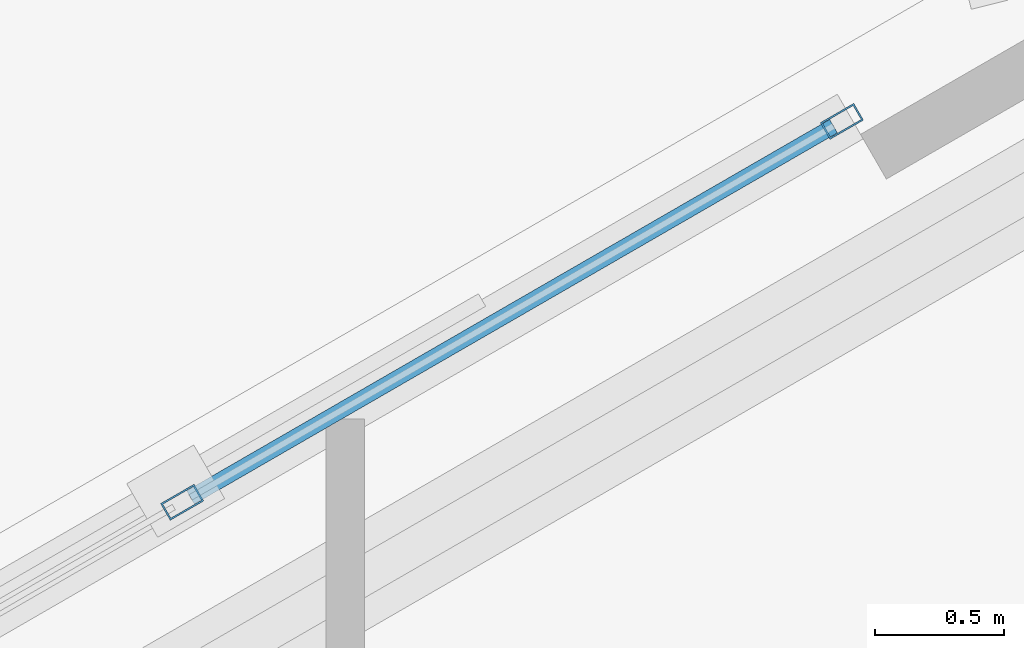
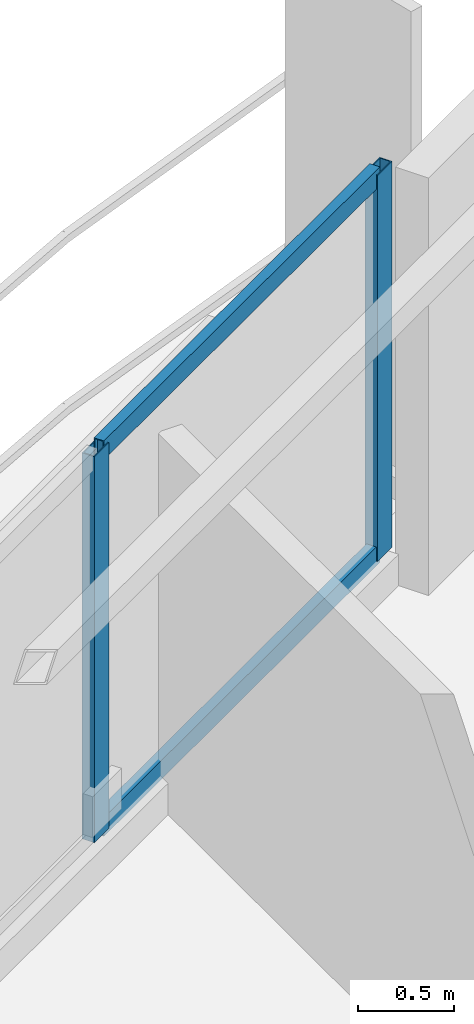
# One storey, part 9 of 18: 4 members, 1 element without a shape of its own.
"""IFC4 building model written with IfcOpenShell, lengths in metres."""

from ifc_helpers import new_model, si_unit, direction, frame, origin, origin_2d, place, context, subcontext, project, spatial, hollow_rectangle, extrude, material, layer, layer_set, material_profile, profile_set, type_object, element, aggregate, save


model = new_model("IFC4")

# Units and contexts
model_context = context("Model", 3, precision=1e-05, world=origin(), true_north=direction((0.0, 1.0)))
body_context = subcontext(model_context, "Body", "Model", "MODEL_VIEW")
ifc_project = project(units=[si_unit("LENGTHUNIT", "METRE"), si_unit("AREAUNIT", "SQUARE_METRE"), si_unit("VOLUMEUNIT", "CUBIC_METRE"), si_unit("PLANEANGLEUNIT", "RADIAN"), si_unit("MASSUNIT", "GRAM", prefix="KILO")], contexts=[model_context])

# Site, building, storey
site_placement = place(None, origin())
site = spatial("IfcSite", under=ifc_project, at=site_placement, CompositionType="ELEMENT")
building_placement = place(site_placement, origin())
building = spatial("IfcBuilding", under=site, at=building_placement, Name="Mersakhor Tower and Convention Hall", CompositionType="ELEMENT")
storey_placement = place(building_placement, frame((0.0, 0.0, 55.5)))
storey = spatial("IfcBuildingStorey", under=building, at=storey_placement, Name="L15", CompositionType="ELEMENT", Elevation=55.5)

# Curtain wall, members
ifc_material_1 = material(Name="Dark solar low-E aluminium curtain wall", Category="aluminium")
ifc_layer = layer(ifc_material_1, 0.159912109375)
ifc_layer_set = layer_set([ifc_layer], Name="Dark solar low-E aluminium curtain wall")
curtain_wall_type = type_object("IfcCurtainWallType", Name="CW-SYS-01", PredefinedType="USERDEFINED", material=ifc_layer_set)
curtain_wall_placement = place(storey_placement, origin())
curtain_wall = element("IfcCurtainWall", 1, at=curtain_wall_placement, inside=storey, type_object=curtain_wall_type, Name="L15 Dark-Glass Curtain Wall F1-B2", ObjectType="CURTAIN WALL", PredefinedType="USERDEFINED")
ifc_material_2 = material(Name="Anodised aluminium EN AW-6063 T6", Category="aluminium")
ifc_material_profile_1 = material_profile(ifc_material_2, hollow_rectangle(XDim=0.074951171875, YDim=0.14990234375, WallThickness=0.00634765625, at=origin_2d()), Name="RHS 150x75x6.3")
ifc_profile_set_1 = profile_set([ifc_material_profile_1], Name="Anodised aluminium EN AW-6063 T6")
member_type_1 = type_object("IfcMemberType", Name="CWM-150x75", PredefinedType="MULLION", material=ifc_profile_set_1)
member_1_placement = place(storey_placement, frame((24.167236328125, 41.107177734375, 0.199951171875), z_axis=(0.0, 0.0, 1.0), x_axis=(-0.50000344889, 0.866023412558, 0.0)))
member_1 = element("IfcMember", 2, at=member_1_placement, type_object=member_type_1, Name="CW-01 mullion 4", PredefinedType="MULLION", context=body_context, shape_type="SweptSolid", body=[
    extrude(hollow_rectangle(XDim=0.074951171875, YDim=0.14990234375, WallThickness=0.00634765625, at=origin_2d()), origin(), (0.0, 0.0, 1.0), 2.4599609375),
])
member_2_placement = place(storey_placement, frame((26.72705078125, 42.5849609375, 0.199951171875), z_axis=(0.0, 0.0, 1.0), x_axis=(-0.50000344889, 0.866023412558, 0.0)))
member_2 = element("IfcMember", 3, at=member_2_placement, type_object=member_type_1, Name="CW-01 mullion 5", PredefinedType="MULLION", context=body_context, shape_type="SweptSolid", body=[
    extrude(hollow_rectangle(XDim=0.074951171875, YDim=0.14990234375, WallThickness=0.00634765625, at=origin_2d()), origin(), (0.0, 0.0, 1.0), 2.4599609375),
])
ifc_material_3 = material(Name="Anodised aluminium EN AW-6063 T6", Category="aluminium")
ifc_material_profile_2 = material_profile(ifc_material_3, hollow_rectangle(XDim=0.06005859375, YDim=0.1201171875, WallThickness=0.0048828125, at=origin_2d()), Name="RHS 120x60x5")
ifc_profile_set_2 = profile_set([ifc_material_profile_2], Name="Anodised aluminium EN AW-6063 T6")
member_type_2 = type_object("IfcMemberType", Name="CWT-120x60", PredefinedType="USERDEFINED", material=ifc_profile_set_2)
member_3_placement = place(storey_placement, frame((24.19970703125, 41.1259765625, 0.22998046875), z_axis=(0.866023290103, 0.500003660985, 0.0), x_axis=(-0.500003660985, 0.866023290103, 0.0)))
member_3 = element("IfcMember", 4, at=member_3_placement, type_object=member_type_2, Name="CW-01 transom 4.1", ObjectType="TRANSOM", PredefinedType="USERDEFINED", context=body_context, shape_type="SweptSolid", body=[
    extrude(hollow_rectangle(XDim=0.06005859375, YDim=0.1201171875, WallThickness=0.0048828125, at=origin_2d()), origin(), (0.0, 0.0, 1.0), 2.880859375),
])
member_4_placement = place(storey_placement, frame((24.19970703125, 41.1259765625, 2.6298828125), z_axis=(0.866023290103, 0.500003660985, 0.0), x_axis=(-0.500003660985, 0.866023290103, 0.0)))
member_4 = element("IfcMember", 5, at=member_4_placement, type_object=member_type_2, Name="CW-01 transom 4.2", ObjectType="TRANSOM", PredefinedType="USERDEFINED", context=body_context, shape_type="SweptSolid", body=[
    extrude(hollow_rectangle(XDim=0.06005859375, YDim=0.1201171875, WallThickness=0.0048828125, at=origin_2d()), origin(), (0.0, 0.0, 1.0), 2.880859375),
])
aggregate(curtain_wall, [member_1, member_2, member_3, member_4])

save(model, "model.ifc")
